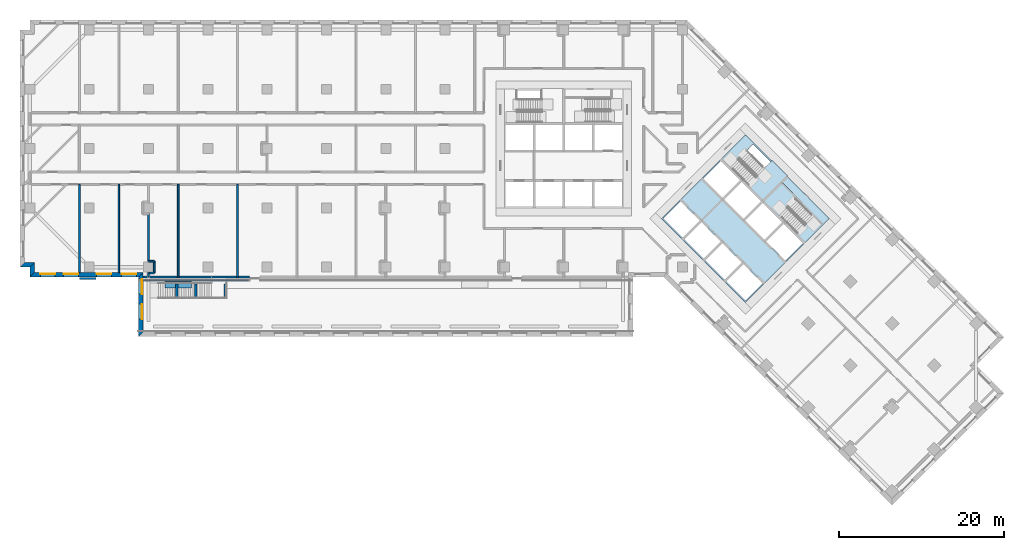
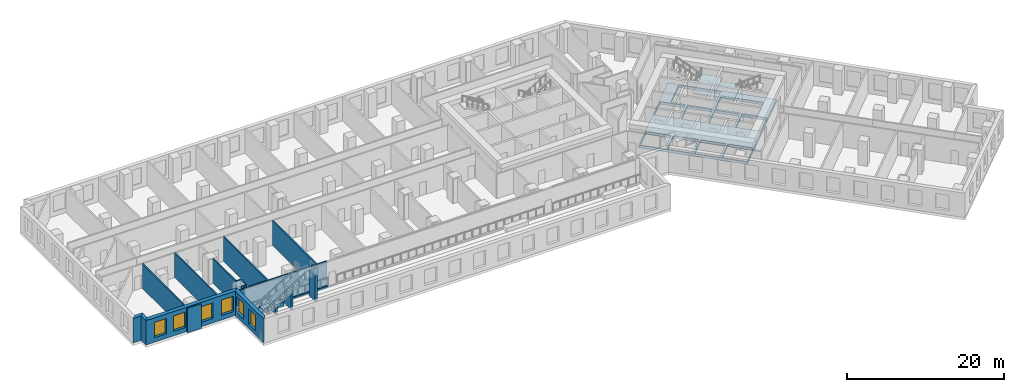
# One storey, part 2 of 14: 20 walls, 6 windows, 3 slabs, 16 openings, 2 elements without a shape of their own.
"""IFC4 building model written with IfcOpenShell, lengths in metres."""

import ifcopenshell
import ifcopenshell.guid

model = None  # the IFC model being written
_history = None  # IfcOwnerHistory: only IFC2X3 demands one
_inside = {}  # id of a spatial element -> (the spatial element, [elements in it])
_under = {}  # id of a project, library or spatial element -> (it, [spatial elements below it])
_declared = {}  # id of a project -> (the project, [libraries it declares])
_typed = {}  # id of a type object -> (the type object, [elements of that type])
_made_of = {}  # id of a material, layer set ... -> (it, [elements and type objects made of it])


def new_model(schema):
    """Start an empty IFC model of exactly this schema.

    Asked for "IFC4X3", IfcOpenShell would pick the latest addendum, in which some entities
    have other attributes; the version numbers below select the first issue.
    IFC2X3 requires an IfcOwnerHistory on every rooted entity: one is made here for all.
    """
    global model, _history
    if schema == "IFC4X3":
        model = ifcopenshell.file(schema_version=(4, 3, 0, 0))
    else:
        model = ifcopenshell.file(schema=schema)
    _inside.clear()
    _under.clear()
    _declared.clear()
    _typed.clear()
    _made_of.clear()
    _history = None
    if model.schema == "IFC2X3":
        org = make("IfcOrganization", Name="unknown")
        user = make(
            "IfcPersonAndOrganization",
            ThePerson=make("IfcPerson", FamilyName="unknown"),
            TheOrganization=org,
        )
        app = make(
            "IfcApplication",
            ApplicationDeveloper=org,
            Version="unknown",
            ApplicationFullName="unknown",
            ApplicationIdentifier="unknown",
        )
        _history = make(
            "IfcOwnerHistory",
            OwningUser=user,
            OwningApplication=app,
            ChangeAction="ADDED",
            CreationDate=0,
        )
    return model


def make(cls, **values):
    """One entity of the class cls with the attributes given. An attribute that is None is left unset."""
    return model.create_entity(
        cls, **{name: value for name, value in values.items() if value is not None}
    )


def rooted(cls, **values):
    """An entity with a GlobalId (a new one), such as an element, a storey or a relation."""
    return make(cls, GlobalId=ifcopenshell.guid.new(), OwnerHistory=_history, **values)


def si_unit(unit_type, name, prefix=None):
    """IfcSIUnit, for example si_unit("LENGTHUNIT", "METRE", prefix="MILLI")."""
    return make("IfcSIUnit", UnitType=unit_type, Prefix=prefix, Name=name)


def assignment(units):
    """IfcUnitAssignment: the units of a project."""
    return None if units is None else make("IfcUnitAssignment", Units=units)


def point(xyz):
    """IfcCartesianPoint."""
    return None if xyz is None else make("IfcCartesianPoint", Coordinates=xyz)


def direction(xyz):
    """IfcDirection."""
    return None if xyz is None else make("IfcDirection", DirectionRatios=xyz)


def frame(location, z_axis=None, x_axis=None):
    """IfcAxis2Placement3D, a coordinate frame: its origin and axes. An axis left out is left unset."""
    return make(
        "IfcAxis2Placement3D",
        Location=point(location),
        Axis=direction(z_axis),
        RefDirection=direction(x_axis),
    )


def frame_2d(location, x_axis=None):
    """IfcAxis2Placement2D, a coordinate frame in the plane: its origin and x axis."""
    return make(
        "IfcAxis2Placement2D", Location=point(location), RefDirection=direction(x_axis)
    )


def origin():
    """The frame at (0, 0, 0) with its axes left unset."""
    return frame((0.0, 0.0, 0.0))


def place(relative_to, where):
    """IfcLocalPlacement: puts the frame where relative to a parent placement (None: the world)."""
    return make(
        "IfcLocalPlacement", PlacementRelTo=relative_to, RelativePlacement=where
    )


def context(
    kind, dimensions, precision=None, world=None, true_north=None, identifier=None
):
    """IfcGeometricRepresentationContext, for example the 3D "Model" context."""
    return make(
        "IfcGeometricRepresentationContext",
        ContextIdentifier=identifier,
        ContextType=kind,
        CoordinateSpaceDimension=dimensions,
        Precision=precision,
        WorldCoordinateSystem=world,
        TrueNorth=true_north,
    )


def subcontext(parent, identifier, kind, view, scale=None):
    """IfcGeometricRepresentationSubContext, for example "Body" below "Model"."""
    return make(
        "IfcGeometricRepresentationSubContext",
        ContextIdentifier=identifier,
        ContextType=kind,
        ParentContext=parent,
        TargetScale=scale,
        TargetView=view,
    )


def project(units=None, contexts=None):
    """IfcProject with its units and contexts."""
    return rooted(
        "IfcProject",
        Name="project",
        RepresentationContexts=contexts,
        UnitsInContext=assignment(units),
    )


def spatial(cls, under=None, at=None, **own):
    """A site, building, storey or space (cls), placed at a placement, below another one or the project."""
    s = rooted(cls, ObjectPlacement=at, **own)
    if under is not None:
        _under.setdefault(under.id(), (under, []))[1].append(s)
    return s


def polyline(points):
    """IfcPolyline through the points."""
    return make("IfcPolyline", Points=[point(p) for p in points])


def profile(cls, at=None, kind="AREA", **sizes):
    """A parametric profile (cls). Its sizes go by their IFC names, for example OverallWidth=200.0."""
    return make(cls, ProfileType=kind, Position=at, **sizes)


def rectangle(**sizes):
    """IfcRectangleProfileDef."""
    return profile("IfcRectangleProfileDef", **sizes)


def outline(outer, holes=None, kind="AREA"):
    """IfcArbitraryClosedProfileDef: a profile drawn as a closed curve; with holes, ...WithVoids."""
    if holes is None:
        return make("IfcArbitraryClosedProfileDef", ProfileType=kind, OuterCurve=outer)
    return make(
        "IfcArbitraryProfileDefWithVoids",
        ProfileType=kind,
        OuterCurve=outer,
        InnerCurves=holes,
    )


def extrude(swept, where, along, depth):
    """IfcExtrudedAreaSolid: the profile swept, set in the frame where, extruded along a direction by depth."""
    return make(
        "IfcExtrudedAreaSolid",
        SweptArea=swept,
        Position=where,
        ExtrudedDirection=direction(along),
        Depth=depth,
    )


def shape(context_of_items, identifier, shape_type, items):
    """IfcShapeRepresentation: the items that make up one representation, for example the "Body"."""
    return make(
        "IfcShapeRepresentation",
        ContextOfItems=context_of_items,
        RepresentationIdentifier=identifier,
        RepresentationType=shape_type,
        Items=items,
    )


def material(Name=None, Category=None):
    """IfcMaterial."""
    return make("IfcMaterial", Name=Name, Category=Category)


def layer(
    of_material, thickness, ventilated=None, Name=None, Category=None, Priority=None
):
    """IfcMaterialLayer: one layer of a wall or slab, of a material (None: an air gap)."""
    return make(
        "IfcMaterialLayer",
        Material=of_material,
        LayerThickness=thickness,
        IsVentilated=ventilated,
        Name=Name,
        Category=Category,
        Priority=Priority,
    )


def layer_set(layers, Name=None):
    """IfcMaterialLayerSet."""
    return make("IfcMaterialLayerSet", MaterialLayers=layers, LayerSetName=Name)


def made_of(thing, what):
    """Note that an element or type object is made of a material, layer set ...; save() writes the relation."""
    if what is not None:
        _made_of.setdefault(what.id(), (what, []))[1].append(thing)
    return thing


def type_object(cls, material=None, **own):
    """A type object (cls), such as IfcWallType, which elements share."""
    return made_of(rooted(cls, **own), material)


def element(
    cls,
    number,
    at=None,
    inside=None,
    cuts=None,
    type_object=None,
    material=None,
    context=None,
    identifier="Body",
    shape_type=None,
    held_by="IfcProductDefinitionShape",
    body=None,
    shapes=None,
    **own,
):
    """One element of the class cls, such as IfcWall. Its Tag is "e" and its number.

    at: its placement. inside: the storey or other place that contains it. cuts: it is an
    opening in that element (IfcRelVoidsElement). A single representation is given by context,
    identifier, shape_type and body (its items); several are given by shapes. held_by: the class
    of the entity that holds the representations. save() writes the other relations.
    """
    e = rooted(cls, Tag="e%d" % number, ObjectPlacement=at, **own)
    if body is not None:
        shapes = [shape(context, identifier, shape_type, body)]
    if shapes is not None:
        e.Representation = make(held_by, Representations=shapes)
    if inside is not None:
        _inside.setdefault(inside.id(), (inside, []))[1].append(e)
    if cuts is not None:
        rooted(
            "IfcRelVoidsElement", RelatingBuildingElement=cuts, RelatedOpeningElement=e
        )
    if type_object is not None:
        _typed.setdefault(type_object.id(), (type_object, []))[1].append(e)
    return made_of(e, material)


def fill(opening, filler):
    """IfcRelFillsElement: the door or window that sits in an opening."""
    return rooted(
        "IfcRelFillsElement",
        RelatingOpeningElement=opening,
        RelatedBuildingElement=filler,
    )


def aggregate(whole, parts):
    """IfcRelAggregates: a whole, such as a stair, and the parts it consists of."""
    return rooted("IfcRelAggregates", RelatingObject=whole, RelatedObjects=parts)


def save(model, path):
    """Write the relations noted so far, then the file.

    IfcRelAggregates (storeys below a building ...), IfcRelContainedInSpatialStructure (elements
    in a storey), IfcRelDefinesByType, IfcRelAssociatesMaterial and IfcRelDeclares: one each for
    every whole, place, type object, material and project.
    """
    for whole, parts in _under.values():
        aggregate(whole, parts)
    for where, things in _inside.values():
        rooted(
            "IfcRelContainedInSpatialStructure",
            RelatedElements=things,
            RelatingStructure=where,
        )
    for kind, things in _typed.values():
        rooted("IfcRelDefinesByType", RelatedObjects=things, RelatingType=kind)
    for what, things in _made_of.values():
        rooted("IfcRelAssociatesMaterial", RelatedObjects=things, RelatingMaterial=what)
    for by, libraries in _declared.values():
        rooted("IfcRelDeclares", RelatingContext=by, RelatedDefinitions=libraries)
    model.write(path)


model = new_model("IFC4")

# Units and contexts
model_context = context("Model", 3, precision=1e-05, world=origin(), true_north=direction((0.0, 1.0)))
body_context = subcontext(model_context, "Body", "Model", "MODEL_VIEW")
ifc_project = project(units=[si_unit("LENGTHUNIT", "METRE"), si_unit("AREAUNIT", "SQUARE_METRE"), si_unit("VOLUMEUNIT", "CUBIC_METRE"), si_unit("PLANEANGLEUNIT", "RADIAN"), si_unit("MASSUNIT", "GRAM", prefix="KILO")], contexts=[model_context])

# Site, building, storey
site_placement = place(None, origin())
site = spatial("IfcSite", under=ifc_project, at=site_placement, CompositionType="ELEMENT")
building_placement = place(site_placement, origin())
building = spatial("IfcBuilding", under=site, at=building_placement, Name="Windrow Commons", CompositionType="ELEMENT")
storey_placement = place(building_placement, frame((0.0, 0.0, 18.6)))
storey = spatial("IfcBuildingStorey", under=building, at=storey_placement, Name="L04", CompositionType="ELEMENT", Elevation=18.6)

# Slab, openings
ifc_material_1 = material(Name="Concrete C60/75", Category="concrete")
ifc_layer_1 = layer(ifc_material_1, 0.4)
ifc_layer_set_1 = layer_set([ifc_layer_1], Name="CORE FLOOR SLAB 400 C60/75")
slab_type_1 = type_object("IfcSlabType", Name="CORE FLOOR SLAB 400 C60/75", PredefinedType="FLOOR", material=ifc_layer_set_1)
slab_1_placement = place(storey_placement, frame((0.0, 0.0, -0.4)))
slab_1 = element("IfcSlab", 1, at=slab_1_placement, inside=storey, type_object=slab_type_1, Name="S-L04-core-B", PredefinedType="FLOOR", context=body_context, shape_type="SweptSolid", body=[
    extrude(outline(polyline([(76.6544, 49.0897), (86.8368, 38.9074), (97.0191, 49.0897), (86.8368, 59.2721), (76.6544, 49.0897)]), holes=[polyline([(76.8665, 49.0897), (79.2, 46.7563), (81.3213, 48.8776), (78.9879, 51.2111), (76.8665, 49.0897)]), polyline([(79.4121, 46.5442), (81.7456, 44.2107), (83.8669, 46.332), (81.5335, 48.6655), (79.4121, 46.5442)]), polyline([(81.9577, 43.9986), (84.2912, 41.6651), (86.4125, 43.7864), (84.079, 46.1199), (81.9577, 43.9986)]), polyline([(84.5033, 41.453), (86.8368, 39.1195), (88.9581, 41.2409), (86.6246, 43.5743), (84.5033, 41.453)]), polyline([(81.7456, 53.9688), (84.079, 51.6353), (86.2004, 53.7566), (83.8669, 56.0901), (81.7456, 53.9688)]), polyline([(84.2912, 51.4232), (86.6246, 49.0897), (88.7459, 51.2111), (86.4125, 53.5445), (84.2912, 51.4232)]), polyline([(86.8368, 48.8776), (89.1702, 46.5442), (91.2915, 48.6655), (88.9581, 50.9989), (86.8368, 48.8776)]), polyline([(89.3823, 46.332), (91.7158, 43.9986), (93.8371, 46.1199), (91.5037, 48.4533), (89.3823, 46.332)]), polyline([(85.0336, 55.3476), (88.9581, 51.4232), (91.7158, 54.1809), (87.7913, 58.1054), (85.0336, 55.3476)]), polyline([(89.1702, 51.2111), (93.0946, 47.2866), (95.1841, 49.3761), (91.2597, 53.3006), (89.1702, 51.2111)])]), origin(), (0.0, 0.0, 1.0), 0.4),
])
opening_1_placement = place(slab_1_placement, origin())
element("IfcOpeningElement", 2, at=opening_1_placement, cuts=slab_1, Name="Slab opening S-L04-core-B 1", PredefinedType="OPENING", context=body_context, shape_type="SweptSolid", body=[
    extrude(outline(polyline([(76.8736, 49.0897), (78.9879, 51.204), (81.3142, 48.8776), (79.2, 46.7634), (76.8736, 49.0897)])), origin(), (0.0, 0.0, 1.0), 0.4),
])
opening_2_placement = place(slab_1_placement, origin())
element("IfcOpeningElement", 3, at=opening_2_placement, cuts=slab_1, Name="Slab opening S-L04-core-B 2", PredefinedType="OPENING", context=body_context, shape_type="SweptSolid", body=[
    extrude(outline(polyline([(79.4192, 46.5442), (81.5335, 48.6584), (83.8598, 46.332), (81.7456, 44.2178), (79.4192, 46.5442)])), origin(), (0.0, 0.0, 1.0), 0.4),
])
opening_3_placement = place(slab_1_placement, origin())
element("IfcOpeningElement", 4, at=opening_3_placement, cuts=slab_1, Name="Slab opening S-L04-core-B 3", PredefinedType="OPENING", context=body_context, shape_type="SweptSolid", body=[
    extrude(outline(polyline([(81.9648, 43.9986), (84.079, 46.1128), (86.4054, 43.7864), (84.2912, 41.6722), (81.9648, 43.9986)])), origin(), (0.0, 0.0, 1.0), 0.4),
])
opening_4_placement = place(slab_1_placement, origin())
element("IfcOpeningElement", 5, at=opening_4_placement, cuts=slab_1, Name="Slab opening S-L04-core-B 4", PredefinedType="OPENING", context=body_context, shape_type="SweptSolid", body=[
    extrude(outline(polyline([(84.5104, 41.453), (86.6246, 43.5672), (88.951, 41.2409), (86.8368, 39.1266), (84.5104, 41.453)])), origin(), (0.0, 0.0, 1.0), 0.4),
])
opening_5_placement = place(slab_1_placement, origin())
element("IfcOpeningElement", 6, at=opening_5_placement, cuts=slab_1, Name="Slab opening S-L04-core-B 5", PredefinedType="OPENING", context=body_context, shape_type="SweptSolid", body=[
    extrude(outline(polyline([(81.7527, 53.9688), (83.8669, 56.083), (86.1933, 53.7566), (84.079, 51.6424), (81.7527, 53.9688)])), origin(), (0.0, 0.0, 1.0), 0.4),
])
opening_6_placement = place(slab_1_placement, origin())
element("IfcOpeningElement", 7, at=opening_6_placement, cuts=slab_1, Name="Slab opening S-L04-core-B 6", PredefinedType="OPENING", context=body_context, shape_type="SweptSolid", body=[
    extrude(outline(polyline([(84.2983, 51.4232), (86.4125, 53.5374), (88.7388, 51.2111), (86.6246, 49.0968), (84.2983, 51.4232)])), origin(), (0.0, 0.0, 1.0), 0.4),
])
opening_7_placement = place(slab_1_placement, origin())
element("IfcOpeningElement", 8, at=opening_7_placement, cuts=slab_1, Name="Slab opening S-L04-core-B 7", PredefinedType="OPENING", context=body_context, shape_type="SweptSolid", body=[
    extrude(outline(polyline([(86.8439, 48.8776), (88.9581, 50.9918), (91.2844, 48.6655), (89.1702, 46.5513), (86.8439, 48.8776)])), origin(), (0.0, 0.0, 1.0), 0.4),
])
opening_8_placement = place(slab_1_placement, origin())
element("IfcOpeningElement", 9, at=opening_8_placement, cuts=slab_1, Name="Slab opening S-L04-core-B 8", PredefinedType="OPENING", context=body_context, shape_type="SweptSolid", body=[
    extrude(outline(polyline([(89.3894, 46.332), (91.5037, 48.4462), (93.83, 46.1199), (91.7158, 44.0057), (89.3894, 46.332)])), origin(), (0.0, 0.0, 1.0), 0.4),
])
opening_9_placement = place(slab_1_placement, origin())
element("IfcOpeningElement", 10, at=opening_9_placement, cuts=slab_1, Name="Slab opening S-L04-core-B 9", PredefinedType="OPENING", context=body_context, shape_type="SweptSolid", body=[
    extrude(outline(polyline([(85.0407, 55.3476), (87.7913, 58.0983), (91.7087, 54.1809), (88.9581, 51.4303), (85.0407, 55.3476)])), origin(), (0.0, 0.0, 1.0), 0.4),
])
opening_10_placement = place(slab_1_placement, origin())
element("IfcOpeningElement", 11, at=opening_10_placement, cuts=slab_1, Name="Slab opening S-L04-core-B 10", PredefinedType="OPENING", context=body_context, shape_type="SweptSolid", body=[
    extrude(outline(polyline([(89.1773, 51.2111), (91.2597, 53.2935), (95.177, 49.3761), (93.0946, 47.2937), (89.1773, 51.2111)])), origin(), (0.0, 0.0, 1.0), 0.4),
])

# Stair, slab
ifc_material_2 = material(Name="Concrete C40/50", Category="concrete")
stair_type = type_object("IfcStairType", Name="Core stair", PredefinedType="HALF_TURN_STAIR", material=ifc_material_2)
placement_1 = place(storey_placement, origin())
stair_1 = element("IfcStair", 12, at=placement_1, inside=storey, type_object=stair_type, Name="L04 Exit stair B1 core B", PredefinedType="HALF_TURN_STAIR")
ifc_material_3 = material(Name="Concrete C40/50", Category="concrete")
ifc_layer_2 = layer(ifc_material_3, 0.2)
ifc_layer_set_2 = layer_set([ifc_layer_2], Name="Core stair landing")
slab_type_2 = type_object("IfcSlabType", Name="Core stair landing", PredefinedType="LANDING", material=ifc_layer_set_2)
placement_2 = place(storey_placement, frame((0.0, 0.0, 1.9)))
slab_2 = element("IfcSlab", 13, at=placement_2, type_object=slab_type_2, Name="ST-B1 landing 1", PredefinedType="LANDING", context=body_context, shape_type="SweptSolid", body=[
    extrude(outline(polyline([(86.9499, 53.0778), (88.8874, 51.1403), (91.9986, 54.2516), (90.0612, 56.1891), (86.9499, 53.0778)])), origin(), (0.0, 0.0, 1.0), 0.2),
])
aggregate(stair_1, [slab_2])

stair_2 = element("IfcStair", 14, at=placement_1, inside=storey, type_object=stair_type, Name="L04 Exit stair B2 core B", PredefinedType="HALF_TURN_STAIR")
slab_3 = element("IfcSlab", 15, at=placement_2, type_object=slab_type_2, Name="ST-B2 landing 1", PredefinedType="LANDING", context=body_context, shape_type="SweptSolid", body=[
    extrude(outline(polyline([(88.8874, 51.1403), (90.8248, 49.2029), (93.1971, 51.5752), (91.2597, 53.5127), (88.8874, 51.1403)])), origin(), (0.0, 0.0, 1.0), 0.2),
])
aggregate(stair_2, [slab_3])

# Walls
ifc_material_4 = material(Name="Brick masonry, red clay brick", Category="masonry")
ifc_layer_3 = layer(ifc_material_4, 0.55)
ifc_layer_set_3 = layer_set([ifc_layer_3], Name="Brick facade wall 550")
wall_type_1 = type_object("IfcWallType", Name="Brick facade wall 550", PredefinedType="SOLIDWALL", material=ifc_layer_set_3)
wall_1_placement = place(storey_placement, frame((-0.925, 43.475, 0.0), z_axis=(0.0, 0.0, 1.0), x_axis=(1.0, 0.0, 0.0)))
element("IfcWall", 16, at=wall_1_placement, inside=storey, type_object=wall_type_1, Name="Brick facade wall L04 9", PredefinedType="SOLIDWALL", context=body_context, shape_type="SweptSolid", body=[
    extrude(outline(polyline([(-0.275, -0.275), (0.925, -0.275), (1.475, 0.275), (0.275, 0.275), (-0.275, -0.275)])), origin(), (0.0, 0.0, 1.0), 3.8),
])
wall_2_placement = place(storey_placement, frame((0.275, 43.475, 0.0), z_axis=(0.0, 0.0, 1.0), x_axis=(0.0, -1.0, 0.0)))
element("IfcWall", 17, at=wall_2_placement, inside=storey, type_object=wall_type_1, Name="Brick facade wall L04 10", PredefinedType="SOLIDWALL", context=body_context, shape_type="SweptSolid", body=[
    extrude(outline(polyline([(0.275, -0.275), (1.475, -0.275), (0.925, 0.275), (-0.275, 0.275), (0.275, -0.275)])), origin(), (0.0, 0.0, 1.0), 3.8),
])

# Wall, openings, windows
wall_3_placement = place(storey_placement, frame((0.275, 42.275, 0.0), z_axis=(0.0, 0.0, 1.0), x_axis=(1.0, 0.0, 0.0)))
wall_3 = element("IfcWall", 18, at=wall_3_placement, inside=storey, type_object=wall_type_1, Name="Brick facade wall L04 11", PredefinedType="SOLIDWALL", context=body_context, shape_type="SweptSolid", body=[
    extrude(outline(polyline([(-0.275, -0.275), (12.925, -0.275), (13.475, 0.275), (0.275, 0.275), (-0.275, -0.275)])), origin(), (0.0, 0.0, 1.0), 3.8),
])
opening_11_placement = place(wall_3_placement, frame((1.0, 0.0, 0.7)))
opening_11 = element("IfcOpeningElement", 19, at=opening_11_placement, cuts=wall_3, Name="Opening W2B", PredefinedType="OPENING", context=body_context, shape_type="SweptSolid", body=[
    extrude(rectangle(XDim=1.8, YDim=2.4, at=frame_2d((0.9, 1.2))), frame((0.0, 0.285, 0.0), z_axis=(0.0, -1.0, 0.0), x_axis=(1.0, 0.0, 0.0)), (0.0, 0.0, 1.0), 0.57),
])
opening_12_placement = place(wall_3_placement, frame((3.825, 0.0, 0.7)))
opening_12 = element("IfcOpeningElement", 20, at=opening_12_placement, cuts=wall_3, Name="Opening W2B", PredefinedType="OPENING", context=body_context, shape_type="SweptSolid", body=[
    extrude(rectangle(XDim=1.8, YDim=2.4, at=frame_2d((0.9, 1.2))), frame((0.0, 0.285, 0.0), z_axis=(0.0, -1.0, 0.0), x_axis=(1.0, 0.0, 0.0)), (0.0, 0.0, 1.0), 0.57),
])
opening_13_placement = place(wall_3_placement, frame((7.825, 0.0, 0.7)))
opening_13 = element("IfcOpeningElement", 21, at=opening_13_placement, cuts=wall_3, Name="Opening W2B", PredefinedType="OPENING", context=body_context, shape_type="SweptSolid", body=[
    extrude(rectangle(XDim=1.8, YDim=2.4, at=frame_2d((0.9, 1.2))), frame((0.0, 0.285, 0.0), z_axis=(0.0, -1.0, 0.0), x_axis=(1.0, 0.0, 0.0)), (0.0, 0.0, 1.0), 0.57),
])
opening_14_placement = place(wall_3_placement, frame((10.8625, 0.0, 0.7)))
opening_14 = element("IfcOpeningElement", 22, at=opening_14_placement, cuts=wall_3, Name="Opening W2B", PredefinedType="OPENING", context=body_context, shape_type="SweptSolid", body=[
    extrude(rectangle(XDim=1.8, YDim=2.4, at=frame_2d((0.9, 1.2))), frame((0.0, 0.285, 0.0), z_axis=(0.0, -1.0, 0.0), x_axis=(1.0, 0.0, 0.0)), (0.0, 0.0, 1.0), 0.57),
])
ifc_material_5 = material(Name="Clear float glass in anodised aluminium frame", Category="aluminium")
window_type = type_object("IfcWindowType", Name="Window W2 podium 1800x2400", PartitioningType="SINGLE_PANEL", PredefinedType="WINDOW", material=ifc_material_5)
window_1_placement = place(opening_11_placement, origin())
window_1 = element("IfcWindow", 23, at=window_1_placement, inside=storey, type_object=window_type, Name="Window L04 11.1", OverallHeight=2.4, OverallWidth=1.8, PartitioningType="SINGLE_PANEL", PredefinedType="WINDOW", context=body_context, shape_type="SweptSolid", body=[
    extrude(rectangle(XDim=1.8, YDim=2.4, at=frame_2d((0.9, 1.2))), frame((0.0, 0.155, 0.0), z_axis=(0.0, -1.0, 0.0), x_axis=(1.0, 0.0, 0.0)), (0.0, 0.0, 1.0), 0.06),
])
fill(opening_11, window_1)
window_2_placement = place(opening_12_placement, origin())
window_2 = element("IfcWindow", 24, at=window_2_placement, inside=storey, type_object=window_type, Name="Window L04 11.2", OverallHeight=2.4, OverallWidth=1.8, PartitioningType="SINGLE_PANEL", PredefinedType="WINDOW", context=body_context, shape_type="SweptSolid", body=[
    extrude(rectangle(XDim=1.8, YDim=2.4, at=frame_2d((0.9, 1.2))), frame((0.0, 0.155, 0.0), z_axis=(0.0, -1.0, 0.0), x_axis=(1.0, 0.0, 0.0)), (0.0, 0.0, 1.0), 0.06),
])
fill(opening_12, window_2)
window_3_placement = place(opening_13_placement, origin())
window_3 = element("IfcWindow", 25, at=window_3_placement, inside=storey, type_object=window_type, Name="Window L04 11.3", OverallHeight=2.4, OverallWidth=1.8, PartitioningType="SINGLE_PANEL", PredefinedType="WINDOW", context=body_context, shape_type="SweptSolid", body=[
    extrude(rectangle(XDim=1.8, YDim=2.4, at=frame_2d((0.9, 1.2))), frame((0.0, 0.155, 0.0), z_axis=(0.0, -1.0, 0.0), x_axis=(1.0, 0.0, 0.0)), (0.0, 0.0, 1.0), 0.06),
])
fill(opening_13, window_3)
window_4_placement = place(opening_14_placement, origin())
window_4 = element("IfcWindow", 26, at=window_4_placement, inside=storey, type_object=window_type, Name="Window L04 11.4", OverallHeight=2.4, OverallWidth=1.8, PartitioningType="SINGLE_PANEL", PredefinedType="WINDOW", context=body_context, shape_type="SweptSolid", body=[
    extrude(rectangle(XDim=1.8, YDim=2.4, at=frame_2d((0.9, 1.2))), frame((0.0, 0.155, 0.0), z_axis=(0.0, -1.0, 0.0), x_axis=(1.0, 0.0, 0.0)), (0.0, 0.0, 1.0), 0.06),
])
fill(opening_14, window_4)

wall_4_placement = place(storey_placement, frame((13.475, 42.275, 0.0), z_axis=(0.0, 0.0, 1.0), x_axis=(0.0, -1.0, 0.0)))
wall_4 = element("IfcWall", 27, at=wall_4_placement, inside=storey, type_object=wall_type_1, Name="Brick facade wall L04 12", PredefinedType="SOLIDWALL", context=body_context, shape_type="SweptSolid", body=[
    extrude(outline(polyline([(0.275, -0.275), (7.475, -0.275), (6.925, 0.275), (-0.275, 0.275), (0.275, -0.275)])), origin(), (0.0, 0.0, 1.0), 3.8),
])
opening_15_placement = place(wall_4_placement, frame((0.5375, 0.0, 0.7)))
opening_15 = element("IfcOpeningElement", 28, at=opening_15_placement, cuts=wall_4, Name="Opening W2B", PredefinedType="OPENING", context=body_context, shape_type="SweptSolid", body=[
    extrude(rectangle(XDim=1.8, YDim=2.4, at=frame_2d((0.9, 1.2))), frame((0.0, 0.285, 0.0), z_axis=(0.0, -1.0, 0.0), x_axis=(1.0, 0.0, 0.0)), (0.0, 0.0, 1.0), 0.57),
])
opening_16_placement = place(wall_4_placement, frame((3.575, 0.0, 0.7)))
opening_16 = element("IfcOpeningElement", 29, at=opening_16_placement, cuts=wall_4, Name="Opening W2B", PredefinedType="OPENING", context=body_context, shape_type="SweptSolid", body=[
    extrude(rectangle(XDim=1.8, YDim=2.4, at=frame_2d((0.9, 1.2))), frame((0.0, 0.285, 0.0), z_axis=(0.0, -1.0, 0.0), x_axis=(1.0, 0.0, 0.0)), (0.0, 0.0, 1.0), 0.57),
])
window_5_placement = place(opening_15_placement, origin())
window_5 = element("IfcWindow", 30, at=window_5_placement, inside=storey, type_object=window_type, Name="Window L04 12.1", OverallHeight=2.4, OverallWidth=1.8, PartitioningType="SINGLE_PANEL", PredefinedType="WINDOW", context=body_context, shape_type="SweptSolid", body=[
    extrude(rectangle(XDim=1.8, YDim=2.4, at=frame_2d((0.9, 1.2))), frame((0.0, 0.155, 0.0), z_axis=(0.0, -1.0, 0.0), x_axis=(1.0, 0.0, 0.0)), (0.0, 0.0, 1.0), 0.06),
])
fill(opening_15, window_5)
window_6_placement = place(opening_16_placement, origin())
window_6 = element("IfcWindow", 31, at=window_6_placement, inside=storey, type_object=window_type, Name="Window L04 12.2", OverallHeight=2.4, OverallWidth=1.8, PartitioningType="SINGLE_PANEL", PredefinedType="WINDOW", context=body_context, shape_type="SweptSolid", body=[
    extrude(rectangle(XDim=1.8, YDim=2.4, at=frame_2d((0.9, 1.2))), frame((0.0, 0.155, 0.0), z_axis=(0.0, -1.0, 0.0), x_axis=(1.0, 0.0, 0.0)), (0.0, 0.0, 1.0), 0.06),
])
fill(opening_16, window_6)

# Walls
ifc_material_6 = material(Name="Blockwork partition", Category="masonry")
ifc_layer_4 = layer(ifc_material_6, 0.2)
ifc_layer_set_4 = layer_set([ifc_layer_4], Name="IW-PARTY-200")
wall_type_2 = type_object("IfcWallType", Name="IW-PARTY-200", PredefinedType="PARTITIONING", material=ifc_layer_set_4)
for number, where, z_axis, x_axis, name in (
    (32, (18.0, 42.0, 0.0), (0.0, 0.0, 1.0), (0.0, 1.0, 0.0), "W-L04-W009"),
    (33, (25.2, 42.0, 0.0), (0.0, 0.0, 1.0), (0.0, 1.0, 0.0), "W-L04-W010"),
):
    element("IfcWall", number, at=place(storey_placement, frame(where, z_axis=z_axis, x_axis=x_axis)), inside=storey, type_object=wall_type_2, Name=name, PredefinedType="PARTITIONING", context=body_context, shape_type="SweptSolid", body=[
        extrude(rectangle(XDim=11.25, YDim=0.2, at=frame_2d((5.625, 0.0))), origin(), (0.0, 0.0, 1.0), 3.8),
    ])
for number, where, z_axis, x_axis, name in (
    (34, (6.03, 42.55, 0.0), (0.0, 0.0, 1.0), (0.0, 1.0, 0.0), "W-L04-W017"),
    (35, (10.8, 42.55, 0.0), (0.0, 0.0, 1.0), (0.0, 1.0, 0.0), "W-L04-W018"),
):
    element("IfcWall", number, at=place(storey_placement, frame(where, z_axis=z_axis, x_axis=x_axis)), inside=storey, type_object=wall_type_2, Name=name, PredefinedType="PARTITIONING", context=body_context, shape_type="SweptSolid", body=[
        extrude(rectangle(XDim=10.7, YDim=0.2, at=frame_2d((5.35, 0.0))), origin(), (0.0, 0.0, 1.0), 3.8),
    ])
wall_5_placement = place(storey_placement, frame((14.4, 43.906, 0.0), z_axis=(0.0, 0.0, 1.0), x_axis=(0.0, 1.0, 0.0)))
element("IfcWall", 36, at=wall_5_placement, inside=storey, type_object=wall_type_2, Name="W-L04-W043", PredefinedType="PARTITIONING", context=body_context, shape_type="SweptSolid", body=[
    extrude(rectangle(XDim=5.788, YDim=0.2, at=frame_2d((2.894, 0.0))), origin(), (0.0, 0.0, 1.0), 3.8),
])
wall_6_placement = place(storey_placement, frame((15.1, 42.496, 0.0), z_axis=(0.0, 0.0, 1.0), x_axis=(0.0, 1.0, 0.0)))
element("IfcWall", 37, at=wall_6_placement, inside=storey, type_object=wall_type_2, Name="W-L04-W105", PredefinedType="PARTITIONING", context=body_context, shape_type="SweptSolid", body=[
    extrude(rectangle(XDim=1.41, YDim=0.2, at=frame_2d((0.705, 0.0))), origin(), (0.0, 0.0, 1.0), 3.8),
])
for number, where, z_axis, x_axis, name in (
    (38, (14.4, 43.91, 0.0), (0.0, 0.0, 1.0), (1.0, 0.0, 0.0), "W-L04-W131"),
    (39, (14.4, 42.5, 0.0), (0.0, 0.0, 1.0), (1.0, 0.0, 0.0), "W-L04-W132"),
):
    element("IfcWall", number, at=place(storey_placement, frame(where, z_axis=z_axis, x_axis=x_axis)), inside=storey, type_object=wall_type_2, Name=name, PredefinedType="PARTITIONING", context=body_context, shape_type="SweptSolid", body=[
        extrude(rectangle(XDim=0.7, YDim=0.2, at=frame_2d((0.35, 0.0))), origin(), (0.0, 0.0, 1.0), 3.8),
    ])
wall_7_placement = place(storey_placement, frame((14.4, 42.0, 0.0), z_axis=(0.0, 0.0, 1.0), x_axis=(0.0, 1.0, 0.0)))
element("IfcWall", 40, at=wall_7_placement, inside=storey, type_object=wall_type_2, Name="W-L04-W151", PredefinedType="PARTITIONING", context=body_context, shape_type="SweptSolid", body=[
    extrude(rectangle(XDim=0.496, YDim=0.2, at=frame_2d((0.248, 0.0))), origin(), (0.0, 0.0, 1.0), 3.8),
])
wall_8_placement = place(storey_placement, frame((13.75, 42.0, 0.0), z_axis=(0.0, 0.0, 1.0), x_axis=(1.0, 0.0, 0.0)))
element("IfcWall", 41, at=wall_8_placement, inside=storey, type_object=wall_type_2, Name="W-L04-W000", PredefinedType="PARTITIONING", context=body_context, shape_type="SweptSolid", body=[
    extrude(outline(polyline([(0.0, -0.1), (12.9, -0.1), (12.9, 0.1), (0.0, 0.1), (0.0, -0.1)])), origin(), (0.0, 0.0, 1.0), 3.8),
])
ifc_material_7 = material(Name="Concrete C30/37 planter wall", Category="concrete")
ifc_layer_5 = layer(ifc_material_7, 0.8)
ifc_layer_set_5 = layer_set([ifc_layer_5], Name="Planter 800x600")
wall_type_3 = type_object("IfcWallType", Name="Planter 800x600", PredefinedType="SOLIDWALL", material=ifc_layer_set_5)
wall_9_placement = place(storey_placement, frame((19.6068, 41.05, 0.0), z_axis=(0.0, 0.0, 1.0), x_axis=(-1.0, 0.0, 0.0)))
element("IfcWall", 42, at=wall_9_placement, inside=storey, type_object=wall_type_3, Name="PLANTER TR-L04-1.1", PredefinedType="SOLIDWALL", context=body_context, shape_type="SweptSolid", body=[
    extrude(outline(polyline([(0.0, -0.4), (3.2136, -0.4), (3.2136, 0.4), (0.0, 0.4), (0.0, -0.4)])), origin(), (0.0, 0.0, 1.0), 0.65),
])
ifc_material_8 = material(Name="Concrete C40/50", Category="concrete")
ifc_layer_6 = layer(ifc_material_8, 0.3)
ifc_layer_set_6 = layer_set([ifc_layer_6], Name="Stair support wall 300")
wall_type_4 = type_object("IfcWallType", Name="Stair support wall 300", PredefinedType="SOLIDWALL", material=ifc_layer_set_6)
wall_10_placement = place(storey_placement, frame((23.69, 41.15, 0.0), z_axis=(0.0, 0.0, 1.0), x_axis=(0.0, -1.0, 0.0)))
element("IfcWall", 43, at=wall_10_placement, inside=storey, type_object=wall_type_4, Name="Stair support wall L04.1", PredefinedType="SOLIDWALL", context=body_context, shape_type="SweptSolid", body=[
    extrude(rectangle(XDim=1.6, YDim=0.3, at=frame_2d((0.8, 0.0))), origin(), (0.0, 0.0, 1.0), 4.0),
])
wall_11_placement = place(storey_placement, frame((20.108, 41.15, 0.0), z_axis=(0.0, 0.0, 1.0), x_axis=(0.0, -1.0, 0.0)))
element("IfcWall", 44, at=wall_11_placement, inside=storey, type_object=wall_type_4, Name="Stair support wall L04.2", PredefinedType="SOLIDWALL", context=body_context, shape_type="SweptSolid", body=[
    extrude(rectangle(XDim=1.6, YDim=0.3, at=frame_2d((0.8, 0.0))), origin(), (0.0, 0.0, 1.0), 2.6175),
])
wall_12_placement = place(storey_placement, frame((17.854, 41.15, 0.0), z_axis=(0.0, 0.0, 1.0), x_axis=(0.0, -1.0, 0.0)))
element("IfcWall", 45, at=wall_12_placement, inside=storey, type_object=wall_type_4, Name="Stair support wall L04.3", PredefinedType="SOLIDWALL", context=body_context, shape_type="SweptSolid", body=[
    extrude(rectangle(XDim=1.6, YDim=0.3, at=frame_2d((0.8, 0.0))), origin(), (0.0, 0.0, 1.0), 1.2087),
])
ifc_material_9 = material(Name="Facing brick on concrete block", Category="masonry")
ifc_layer_7 = layer(ifc_material_9, 0.25)
ifc_layer_set_7 = layer_set([ifc_layer_7], Name="Terrace back wall 250")
wall_type_5 = type_object("IfcWallType", Name="Terrace back wall 250", PredefinedType="SOLIDWALL", material=ifc_layer_set_7)
wall_13_placement = place(storey_placement, frame((8.0, 41.825, 0.0), z_axis=(0.0, 0.0, 1.0), x_axis=(-1.0, 0.0, 0.0)))
element("IfcWall", 46, at=wall_13_placement, inside=storey, type_object=wall_type_5, Name="Terrace back wall TR-L04-1.2", PredefinedType="SOLIDWALL", context=body_context, shape_type="SweptSolid", body=[
    extrude(rectangle(XDim=2.0, YDim=0.25, at=frame_2d((1.0, 0.0))), origin(), (0.0, 0.0, 1.0), 3.8),
])
ifc_material_10 = material(Name="Brick masonry, red clay brick", Category="masonry")
ifc_layer_8 = layer(ifc_material_10, 0.2)
ifc_layer_set_8 = layer_set([ifc_layer_8], Name="Terrace edge parapet 200")
wall_type_6 = type_object("IfcWallType", Name="Terrace edge parapet 200", PredefinedType="PARAPET", material=ifc_layer_set_8)
wall_14_placement = place(storey_placement, frame((26.53, 41.6, 0.0), z_axis=(0.0, 0.0, 1.0), x_axis=(-1.0, 0.0, 0.0)))
element("IfcWall", 47, at=wall_14_placement, inside=storey, type_object=wall_type_6, Name="Terrace parapet TR-L04-1.1.1", PredefinedType="PARAPET", context=body_context, shape_type="SweptSolid", body=[
    extrude(outline(polyline([(0.0, -0.1), (12.78, -0.1), (12.78, 0.1), (0.0, 0.1), (0.0, -0.1)])), origin(), (0.0, 0.0, 1.0), 0.25),
])

save(model, "model.ifc")
